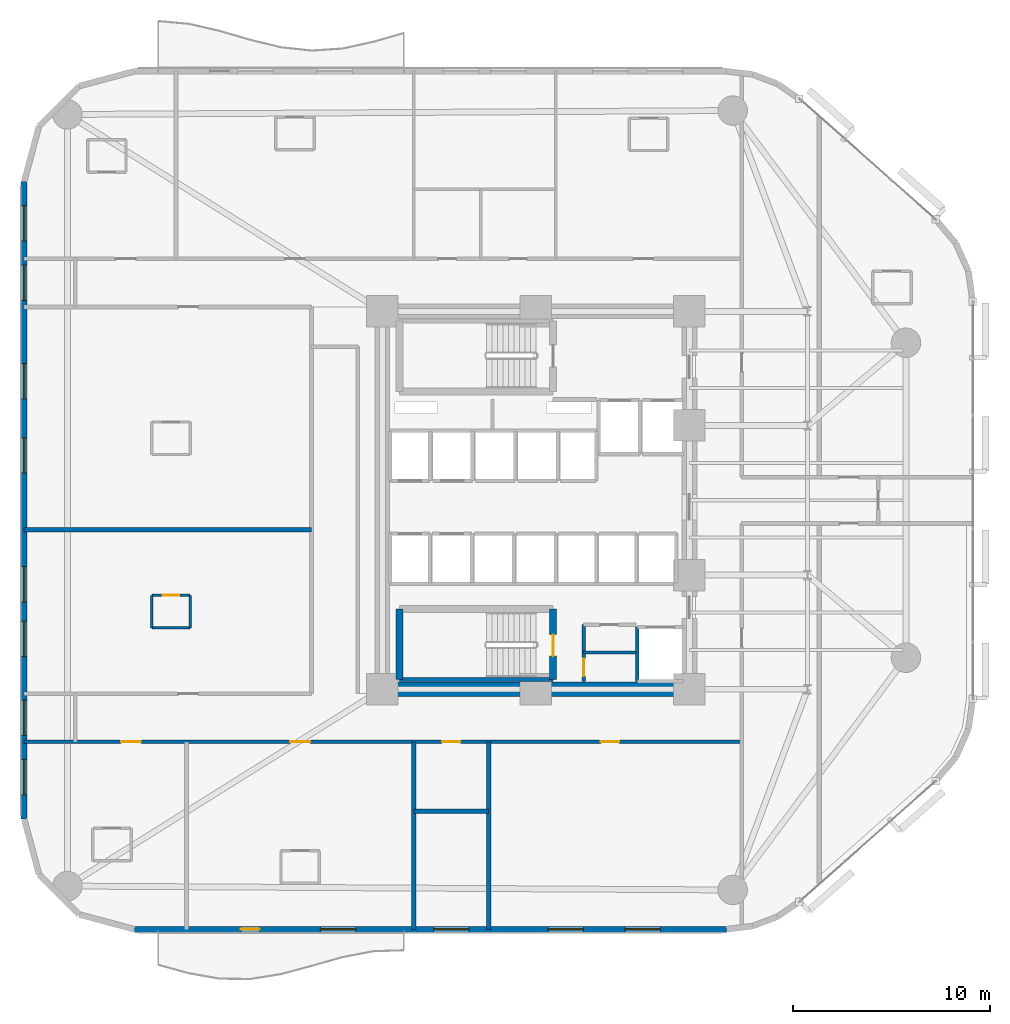
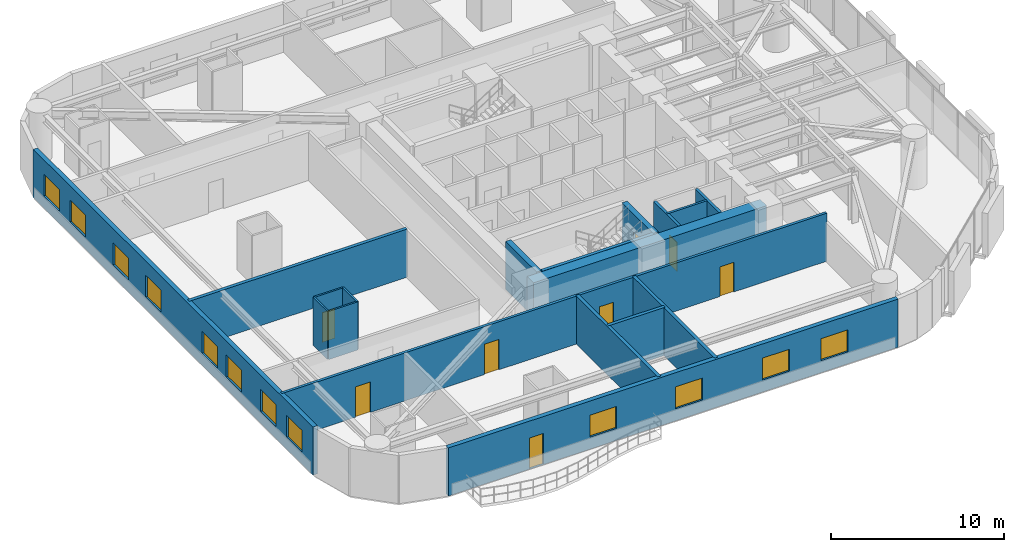
# One storey, part 10 of 17: 18 walls, 12 windows, 8 doors, 20 openings.
"""IFC4 building model written with IfcOpenShell, lengths in metres."""

import ifcopenshell
import ifcopenshell.guid

model = None  # the IFC model being written
_history = None  # IfcOwnerHistory: only IFC2X3 demands one
_inside = {}  # id of a spatial element -> (the spatial element, [elements in it])
_under = {}  # id of a project, library or spatial element -> (it, [spatial elements below it])
_declared = {}  # id of a project -> (the project, [libraries it declares])
_typed = {}  # id of a type object -> (the type object, [elements of that type])
_made_of = {}  # id of a material, layer set ... -> (it, [elements and type objects made of it])


def new_model(schema):
    """Start an empty IFC model of exactly this schema.

    Asked for "IFC4X3", IfcOpenShell would pick the latest addendum, in which some entities
    have other attributes; the version numbers below select the first issue.
    IFC2X3 requires an IfcOwnerHistory on every rooted entity: one is made here for all.
    """
    global model, _history
    if schema == "IFC4X3":
        model = ifcopenshell.file(schema_version=(4, 3, 0, 0))
    else:
        model = ifcopenshell.file(schema=schema)
    _inside.clear()
    _under.clear()
    _declared.clear()
    _typed.clear()
    _made_of.clear()
    _history = None
    if model.schema == "IFC2X3":
        org = make("IfcOrganization", Name="unknown")
        user = make(
            "IfcPersonAndOrganization",
            ThePerson=make("IfcPerson", FamilyName="unknown"),
            TheOrganization=org,
        )
        app = make(
            "IfcApplication",
            ApplicationDeveloper=org,
            Version="unknown",
            ApplicationFullName="unknown",
            ApplicationIdentifier="unknown",
        )
        _history = make(
            "IfcOwnerHistory",
            OwningUser=user,
            OwningApplication=app,
            ChangeAction="ADDED",
            CreationDate=0,
        )
    return model


def make(cls, **values):
    """One entity of the class cls with the attributes given. An attribute that is None is left unset."""
    return model.create_entity(
        cls, **{name: value for name, value in values.items() if value is not None}
    )


def rooted(cls, **values):
    """An entity with a GlobalId (a new one), such as an element, a storey or a relation."""
    return make(cls, GlobalId=ifcopenshell.guid.new(), OwnerHistory=_history, **values)


def si_unit(unit_type, name, prefix=None):
    """IfcSIUnit, for example si_unit("LENGTHUNIT", "METRE", prefix="MILLI")."""
    return make("IfcSIUnit", UnitType=unit_type, Prefix=prefix, Name=name)


def assignment(units):
    """IfcUnitAssignment: the units of a project."""
    return None if units is None else make("IfcUnitAssignment", Units=units)


def point(xyz):
    """IfcCartesianPoint."""
    return None if xyz is None else make("IfcCartesianPoint", Coordinates=xyz)


def direction(xyz):
    """IfcDirection."""
    return None if xyz is None else make("IfcDirection", DirectionRatios=xyz)


def frame(location, z_axis=None, x_axis=None):
    """IfcAxis2Placement3D, a coordinate frame: its origin and axes. An axis left out is left unset."""
    return make(
        "IfcAxis2Placement3D",
        Location=point(location),
        Axis=direction(z_axis),
        RefDirection=direction(x_axis),
    )


def frame_2d(location, x_axis=None):
    """IfcAxis2Placement2D, a coordinate frame in the plane: its origin and x axis."""
    return make(
        "IfcAxis2Placement2D", Location=point(location), RefDirection=direction(x_axis)
    )


def origin():
    """The frame at (0, 0, 0) with its axes left unset."""
    return frame((0.0, 0.0, 0.0))


def place(relative_to, where):
    """IfcLocalPlacement: puts the frame where relative to a parent placement (None: the world)."""
    return make(
        "IfcLocalPlacement", PlacementRelTo=relative_to, RelativePlacement=where
    )


def context(
    kind, dimensions, precision=None, world=None, true_north=None, identifier=None
):
    """IfcGeometricRepresentationContext, for example the 3D "Model" context."""
    return make(
        "IfcGeometricRepresentationContext",
        ContextIdentifier=identifier,
        ContextType=kind,
        CoordinateSpaceDimension=dimensions,
        Precision=precision,
        WorldCoordinateSystem=world,
        TrueNorth=true_north,
    )


def subcontext(parent, identifier, kind, view, scale=None):
    """IfcGeometricRepresentationSubContext, for example "Body" below "Model"."""
    return make(
        "IfcGeometricRepresentationSubContext",
        ContextIdentifier=identifier,
        ContextType=kind,
        ParentContext=parent,
        TargetScale=scale,
        TargetView=view,
    )


def project(units=None, contexts=None):
    """IfcProject with its units and contexts."""
    return rooted(
        "IfcProject",
        Name="project",
        RepresentationContexts=contexts,
        UnitsInContext=assignment(units),
    )


def spatial(cls, under=None, at=None, **own):
    """A site, building, storey or space (cls), placed at a placement, below another one or the project."""
    s = rooted(cls, ObjectPlacement=at, **own)
    if under is not None:
        _under.setdefault(under.id(), (under, []))[1].append(s)
    return s


def profile(cls, at=None, kind="AREA", **sizes):
    """A parametric profile (cls). Its sizes go by their IFC names, for example OverallWidth=200.0."""
    return make(cls, ProfileType=kind, Position=at, **sizes)


def rectangle(**sizes):
    """IfcRectangleProfileDef."""
    return profile("IfcRectangleProfileDef", **sizes)


def extrude(swept, where, along, depth):
    """IfcExtrudedAreaSolid: the profile swept, set in the frame where, extruded along a direction by depth."""
    return make(
        "IfcExtrudedAreaSolid",
        SweptArea=swept,
        Position=where,
        ExtrudedDirection=direction(along),
        Depth=depth,
    )


def shape(context_of_items, identifier, shape_type, items):
    """IfcShapeRepresentation: the items that make up one representation, for example the "Body"."""
    return make(
        "IfcShapeRepresentation",
        ContextOfItems=context_of_items,
        RepresentationIdentifier=identifier,
        RepresentationType=shape_type,
        Items=items,
    )


def material(Name=None, Category=None):
    """IfcMaterial."""
    return make("IfcMaterial", Name=Name, Category=Category)


def layer(
    of_material, thickness, ventilated=None, Name=None, Category=None, Priority=None
):
    """IfcMaterialLayer: one layer of a wall or slab, of a material (None: an air gap)."""
    return make(
        "IfcMaterialLayer",
        Material=of_material,
        LayerThickness=thickness,
        IsVentilated=ventilated,
        Name=Name,
        Category=Category,
        Priority=Priority,
    )


def layer_set(layers, Name=None):
    """IfcMaterialLayerSet."""
    return make("IfcMaterialLayerSet", MaterialLayers=layers, LayerSetName=Name)


def made_of(thing, what):
    """Note that an element or type object is made of a material, layer set ...; save() writes the relation."""
    if what is not None:
        _made_of.setdefault(what.id(), (what, []))[1].append(thing)
    return thing


def type_object(cls, material=None, **own):
    """A type object (cls), such as IfcWallType, which elements share."""
    return made_of(rooted(cls, **own), material)


def element(
    cls,
    number,
    at=None,
    inside=None,
    cuts=None,
    type_object=None,
    material=None,
    context=None,
    identifier="Body",
    shape_type=None,
    held_by="IfcProductDefinitionShape",
    body=None,
    shapes=None,
    **own,
):
    """One element of the class cls, such as IfcWall. Its Tag is "e" and its number.

    at: its placement. inside: the storey or other place that contains it. cuts: it is an
    opening in that element (IfcRelVoidsElement). A single representation is given by context,
    identifier, shape_type and body (its items); several are given by shapes. held_by: the class
    of the entity that holds the representations. save() writes the other relations.
    """
    e = rooted(cls, Tag="e%d" % number, ObjectPlacement=at, **own)
    if body is not None:
        shapes = [shape(context, identifier, shape_type, body)]
    if shapes is not None:
        e.Representation = make(held_by, Representations=shapes)
    if inside is not None:
        _inside.setdefault(inside.id(), (inside, []))[1].append(e)
    if cuts is not None:
        rooted(
            "IfcRelVoidsElement", RelatingBuildingElement=cuts, RelatedOpeningElement=e
        )
    if type_object is not None:
        _typed.setdefault(type_object.id(), (type_object, []))[1].append(e)
    return made_of(e, material)


def fill(opening, filler):
    """IfcRelFillsElement: the door or window that sits in an opening."""
    return rooted(
        "IfcRelFillsElement",
        RelatingOpeningElement=opening,
        RelatedBuildingElement=filler,
    )


def aggregate(whole, parts):
    """IfcRelAggregates: a whole, such as a stair, and the parts it consists of."""
    return rooted("IfcRelAggregates", RelatingObject=whole, RelatedObjects=parts)


def save(model, path):
    """Write the relations noted so far, then the file.

    IfcRelAggregates (storeys below a building ...), IfcRelContainedInSpatialStructure (elements
    in a storey), IfcRelDefinesByType, IfcRelAssociatesMaterial and IfcRelDeclares: one each for
    every whole, place, type object, material and project.
    """
    for whole, parts in _under.values():
        aggregate(whole, parts)
    for where, things in _inside.values():
        rooted(
            "IfcRelContainedInSpatialStructure",
            RelatedElements=things,
            RelatingStructure=where,
        )
    for kind, things in _typed.values():
        rooted("IfcRelDefinesByType", RelatedObjects=things, RelatingType=kind)
    for what, things in _made_of.values():
        rooted("IfcRelAssociatesMaterial", RelatedObjects=things, RelatingMaterial=what)
    for by, libraries in _declared.values():
        rooted("IfcRelDeclares", RelatingContext=by, RelatedDefinitions=libraries)
    model.write(path)


model = new_model("IFC4")

# Units and contexts
model_context = context("Model", 3, precision=1e-05, world=origin(), true_north=direction((0.0, 1.0)))
body_context = subcontext(model_context, "Body", "Model", "MODEL_VIEW")
ifc_project = project(units=[si_unit("LENGTHUNIT", "METRE"), si_unit("AREAUNIT", "SQUARE_METRE"), si_unit("VOLUMEUNIT", "CUBIC_METRE"), si_unit("PLANEANGLEUNIT", "RADIAN"), si_unit("MASSUNIT", "GRAM", prefix="KILO")], contexts=[model_context])

# Site, building, storey
site_placement = place(None, origin())
site = spatial("IfcSite", under=ifc_project, at=site_placement, CompositionType="ELEMENT")
building_placement = place(site_placement, origin())
building = spatial("IfcBuilding", under=site, at=building_placement, Name="An Khanh Terracotta Commons", CompositionType="ELEMENT")
storey_placement = place(building_placement, frame((0.0, 0.0, 32.39990234375)))
storey = spatial("IfcBuildingStorey", under=building, at=storey_placement, Name="L08", CompositionType="ELEMENT", Elevation=32.39990234375)

# Wall
ifc_material_1 = material(Name="Concrete C70/85", Category="concrete")
ifc_layer_1 = layer(ifc_material_1, 0.75, Name="Concrete C70/85")
ifc_layer_set_1 = layer_set([ifc_layer_1], Name="Concrete C70/85")
wall_type_1 = type_object("IfcWallType", Name="WALL-CORE-750", PredefinedType="SHEAR", material=ifc_layer_set_1)
wall_1_placement = place(storey_placement, frame((37.199951171875, 14.39990234375, 0.0), z_axis=(0.0, 0.0, 1.0), x_axis=(-1.0, 0.0, 0.0)))
element("IfcWall", 1, at=wall_1_placement, inside=storey, type_object=wall_type_1, Name="L08 Core Wall CWALL-L08-S", PredefinedType="SHEAR", context=body_context, shape_type="SweptSolid", body=[
    extrude(rectangle(XDim=15.599853515625, YDim=0.75, at=frame_2d((7.7998046875, 0.0))), origin(), (0.0, 0.0, 1.0), 3.400146484375),
])

# Wall, opening, door
ifc_material_2 = material(Name="Fire-Rated Gypsum Board on Steel Stud", Category="steel")
ifc_layer_2 = layer(ifc_material_2, 0.179931640625, Name="Fire-Rated Gypsum Board on Steel Stud")
ifc_layer_set_2 = layer_set([ifc_layer_2], Name="Fire-Rated Gypsum Board on Steel Stud")
wall_type_2 = type_object("IfcWallType", Name="WALL-CORR-180", PredefinedType="PARTITIONING", material=ifc_layer_set_2)
wall_2_placement = place(storey_placement, frame((31.820068359375, 14.800048828125, 0.0), z_axis=(0.0, 0.0, 1.0), x_axis=(0.0, 1.0, 0.0)))
wall_2 = element("IfcWall", 2, at=wall_2_placement, inside=storey, type_object=wall_type_2, Name="L08 Core Wall SSVCW-L08-W", PredefinedType="PARTITIONING", context=body_context, shape_type="SweptSolid", body=[
    extrude(rectangle(XDim=2.8798828125, YDim=0.179931640625, at=frame_2d((1.43994140625, 0.0))), origin(), (0.0, 0.0, 1.0), 3.400146484375),
])
opening_1_placement = place(wall_2_placement, frame((0.260009765625, 0.0, 0.0)))
opening_1 = element("IfcOpeningElement", 3, at=opening_1_placement, cuts=wall_2, Name="Opening D-SV", PredefinedType="OPENING", context=body_context, shape_type="SweptSolid", body=[
    extrude(rectangle(XDim=0.89990234375, YDim=2.050048828125, at=frame_2d((0.449951171875, 1.02490234375))), frame((0.0, 0.099853515625, 0.0), z_axis=(0.0, -1.0, 0.0), x_axis=(1.0, 0.0, 0.0)), (0.0, 0.0, 1.0), 0.199951171875),
])
ifc_material_3 = material(Name="Fire-Rated Powder-Coated Steel Door", Category="steel")
door_type_1 = type_object("IfcDoorType", Name="DOOR-SERV-900", OperationType="NOTDEFINED", PredefinedType="DOOR", material=ifc_material_3)
door_1_placement = place(opening_1_placement, origin())
door_1 = element("IfcDoor", 4, at=door_1_placement, inside=storey, type_object=door_type_1, Name="L08 Telecoms BMS Cupboard Door", OperationType="SINGLE_SWING_RIGHT", OverallHeight=2.050048828125, OverallWidth=0.89990234375, PredefinedType="DOOR", context=body_context, shape_type="SweptSolid", body=[
    extrude(rectangle(XDim=0.89990234375, YDim=2.050048828125, at=frame_2d((0.449951171875, 1.02490234375))), frame((0.0, 0.02490234375, 0.0), z_axis=(0.0, -1.0, 0.0), x_axis=(1.0, 0.0, 0.0)), (0.0, 0.0, 1.0), 0.050048828125),
])
fill(opening_1, door_1)

# Wall
wall_3_placement = place(storey_placement, frame((34.550048828125, 17.550048828125, 0.0), z_axis=(0.0, 0.0, 1.0), x_axis=(0.0, -1.0, 0.0)))
element("IfcWall", 5, at=wall_3_placement, inside=storey, type_object=wall_type_2, Name="L08 Core Wall LSH-L08-SVL-01-W", PredefinedType="PARTITIONING", context=body_context, shape_type="SweptSolid", body=[
    extrude(rectangle(XDim=2.75, YDim=0.179931640625, at=frame_2d((1.375, 0.0))), origin(), (0.0, 0.0, 1.0), 3.400146484375),
])

# Wall, openings, doors
wall_4_placement = place(storey_placement, frame((3.39990234375, 11.719970703125, 0.0), z_axis=(0.0, 0.0, 1.0), x_axis=(1.0, 0.0, 0.0)))
wall_4 = element("IfcWall", 6, at=wall_4_placement, inside=storey, type_object=wall_type_2, Name="L08 Interior Partition IW-L08-E002", PredefinedType="PARTITIONING", context=body_context, shape_type="SweptSolid", body=[
    extrude(rectangle(XDim=36.4501953125, YDim=0.179931640625, at=frame_2d((18.22509765625, 0.0))), origin(), (0.0, 0.0, 1.0), 3.400146484375),
])
opening_2_placement = place(wall_4_placement, frame((21.239990234375, 0.0, 0.0)))
opening_2 = element("IfcOpeningElement", 7, at=opening_2_placement, cuts=wall_4, Name="Opening D-RM", PredefinedType="OPENING", context=body_context, shape_type="SweptSolid", body=[
    extrude(rectangle(XDim=0.919921875, YDim=2.10009765625, at=frame_2d((0.4599609375, 1.050048828125))), frame((0.0, 0.099853515625, 0.0), z_axis=(0.0, -1.0, 0.0), x_axis=(1.0, 0.0, 0.0)), (0.0, 0.0, 1.0), 0.199951171875),
])
opening_3_placement = place(wall_4_placement, frame((4.925048828125, 0.0, 0.0)))
opening_3 = element("IfcOpeningElement", 8, at=opening_3_placement, cuts=wall_4, Name="Opening D-UN", PredefinedType="OPENING", context=body_context, shape_type="SweptSolid", body=[
    extrude(rectangle(XDim=1.0, YDim=2.14990234375, at=frame_2d((0.5, 1.074951171875))), frame((0.0, 0.099853515625, 0.0), z_axis=(0.0, -1.0, 0.0), x_axis=(1.0, 0.0, 0.0)), (0.0, 0.0, 1.0), 0.199951171875),
])
opening_4_placement = place(wall_4_placement, frame((13.52490234375, 0.0, 0.0)))
opening_4 = element("IfcOpeningElement", 9, at=opening_4_placement, cuts=wall_4, Name="Opening D-UN", PredefinedType="OPENING", context=body_context, shape_type="SweptSolid", body=[
    extrude(rectangle(XDim=1.0, YDim=2.14990234375, at=frame_2d((0.5, 1.074951171875))), frame((0.0, 0.099853515625, 0.0), z_axis=(0.0, -1.0, 0.0), x_axis=(1.0, 0.0, 0.0)), (0.0, 0.0, 1.0), 0.199951171875),
])
opening_5_placement = place(wall_4_placement, frame((29.304931640625, 0.0, 0.0)))
opening_5 = element("IfcOpeningElement", 10, at=opening_5_placement, cuts=wall_4, Name="Opening D-RM", PredefinedType="OPENING", context=body_context, shape_type="SweptSolid", body=[
    extrude(rectangle(XDim=0.919921875, YDim=2.10009765625, at=frame_2d((0.4599609375, 1.050048828125))), frame((0.0, 0.099853515625, 0.0), z_axis=(0.0, -1.0, 0.0), x_axis=(1.0, 0.0, 0.0)), (0.0, 0.0, 1.0), 0.199951171875),
])
ifc_material_4 = material(Name="Engineered Hardwood Timber Leaf", Category="wood")
door_type_2 = type_object("IfcDoorType", Name="DOOR-INT-920", OperationType="NOTDEFINED", PredefinedType="DOOR", material=ifc_material_4)
door_2_placement = place(opening_2_placement, origin())
door_2 = element("IfcDoor", 11, at=door_2_placement, inside=storey, type_object=door_type_2, Name="L08 HKP Housekeeping Linen Store Door", OperationType="SINGLE_SWING_LEFT", OverallHeight=2.10009765625, OverallWidth=0.919921875, PredefinedType="DOOR", context=body_context, shape_type="SweptSolid", body=[
    extrude(rectangle(XDim=0.919921875, YDim=2.10009765625, at=frame_2d((0.4599609375, 1.050048828125))), frame((0.0, 0.02490234375, 0.0), z_axis=(0.0, -1.0, 0.0), x_axis=(1.0, 0.0, 0.0)), (0.0, 0.0, 1.0), 0.050048828125),
])
fill(opening_2, door_2)
door_3_placement = place(opening_5_placement, origin())
door_3 = element("IfcDoor", 12, at=door_3_placement, inside=storey, type_object=door_type_2, Name="L08 SWE Communal Kitchen and Dining Door", OperationType="SINGLE_SWING_RIGHT", OverallHeight=2.10009765625, OverallWidth=0.919921875, PredefinedType="DOOR", context=body_context, shape_type="SweptSolid", body=[
    extrude(rectangle(XDim=0.919921875, YDim=2.10009765625, at=frame_2d((0.4599609375, 1.050048828125))), frame((0.0, 0.02490234375, 0.0), z_axis=(0.0, -1.0, 0.0), x_axis=(1.0, 0.0, 0.0)), (0.0, 0.0, 1.0), 0.050048828125),
])
fill(opening_5, door_3)
ifc_material_5 = material(Name="Solid-Core Hardwood Acoustic Fire Door", Category="wood")
door_type_3 = type_object("IfcDoorType", Name="DOOR-UNIT-1000", OperationType="NOTDEFINED", PredefinedType="DOOR", material=ifc_material_5)
door_4_placement = place(opening_3_placement, origin())
door_4 = element("IfcDoor", 13, at=door_4_placement, inside=storey, type_object=door_type_3, Name="L08 SW1 Kitchenette and Studio Apartment Door", OperationType="SINGLE_SWING_RIGHT", OverallHeight=2.14990234375, OverallWidth=1.0, PredefinedType="DOOR", context=body_context, shape_type="SweptSolid", body=[
    extrude(rectangle(XDim=1.0, YDim=2.14990234375, at=frame_2d((0.5, 1.074951171875))), frame((0.0, 0.02490234375, 0.0), z_axis=(0.0, -1.0, 0.0), x_axis=(1.0, 0.0, 0.0)), (0.0, 0.0, 1.0), 0.050048828125),
])
fill(opening_3, door_4)
door_5_placement = place(opening_4_placement, origin())
door_5 = element("IfcDoor", 14, at=door_5_placement, inside=storey, type_object=door_type_3, Name="L08 SW2 Kitchenette and Studio Apartment Door", OperationType="SINGLE_SWING_LEFT", OverallHeight=2.14990234375, OverallWidth=1.0, PredefinedType="DOOR", context=body_context, shape_type="SweptSolid", body=[
    extrude(rectangle(XDim=1.0, YDim=2.14990234375, at=frame_2d((0.5, 1.074951171875))), frame((0.0, 0.02490234375, 0.0), z_axis=(0.0, -1.0, 0.0), x_axis=(1.0, 0.0, 0.0)), (0.0, 0.0, 1.0), 0.050048828125),
])
fill(opening_4, door_5)

# Wall, openings, door, windows
ifc_material_6 = material(Name="Precast concrete C40/50", Category="concrete")
ifc_layer_3 = layer(ifc_material_6, 0.300048828125, Name="Precast concrete C40/50")
ifc_layer_set_3 = layer_set([ifc_layer_3], Name="Precast concrete C40/50")
wall_type_3 = type_object("IfcWallType", Name="WALL-EXT-300", PredefinedType="SOLIDWALL", material=ifc_layer_set_3)
wall_5_placement = place(storey_placement, frame((9.0, 2.199951171875, 0.0), z_axis=(0.0, 0.0, 1.0), x_axis=(1.0, 0.0, 0.0)))
wall_5 = element("IfcWall", 15, at=wall_5_placement, inside=storey, type_object=wall_type_3, Name="L08 Insulated Terracotta Exterior Wall 4", PredefinedType="SOLIDWALL", context=body_context, shape_type="SweptSolid", body=[
    extrude(rectangle(XDim=30.0791015625, YDim=0.300048828125, at=frame_2d((15.03955078125, 0.0))), origin(), (0.0, 0.0, 1.0), 3.400146484375),
])
opening_6_placement = place(wall_5_placement, frame((5.412109375, 0.0, 0.0)))
opening_6 = element("IfcOpeningElement", 16, at=opening_6_placement, cuts=wall_5, Name="Opening D-BAL", PredefinedType="OPENING", context=body_context, shape_type="SweptSolid", body=[
    extrude(rectangle(XDim=0.949951171875, YDim=2.199951171875, at=frame_2d((0.47509765625, 1.10009765625))), frame((0.0, 0.159912109375, 0.0), z_axis=(0.0, -1.0, 0.0), x_axis=(1.0, 0.0, 0.0)), (0.0, 0.0, 1.0), 0.320068359375),
])
opening_7_placement = place(wall_5_placement, frame((9.449951171875, 0.0, 0.85009765625)))
opening_7 = element("IfcOpeningElement", 17, at=opening_7_placement, cuts=wall_5, Name="Opening W-01", PredefinedType="OPENING", context=body_context, shape_type="SweptSolid", body=[
    extrude(rectangle(XDim=1.800048828125, YDim=1.550048828125, at=frame_2d((0.89990234375, 0.77490234375))), frame((0.0, 0.159912109375, 0.0), z_axis=(0.0, -1.0, 0.0), x_axis=(1.0, 0.0, 0.0)), (0.0, 0.0, 1.0), 0.320068359375),
])
opening_8_placement = place(wall_5_placement, frame((15.199951171875, 0.0, 0.85009765625)))
opening_8 = element("IfcOpeningElement", 18, at=opening_8_placement, cuts=wall_5, Name="Opening W-01", PredefinedType="OPENING", context=body_context, shape_type="SweptSolid", body=[
    extrude(rectangle(XDim=1.800048828125, YDim=1.550048828125, at=frame_2d((0.89990234375, 0.77490234375))), frame((0.0, 0.159912109375, 0.0), z_axis=(0.0, -1.0, 0.0), x_axis=(1.0, 0.0, 0.0)), (0.0, 0.0, 1.0), 0.320068359375),
])
opening_9_placement = place(wall_5_placement, frame((21.010009765625, 0.0, 0.85009765625)))
opening_9 = element("IfcOpeningElement", 19, at=opening_9_placement, cuts=wall_5, Name="Opening W-01", PredefinedType="OPENING", context=body_context, shape_type="SweptSolid", body=[
    extrude(rectangle(XDim=1.800048828125, YDim=1.550048828125, at=frame_2d((0.89990234375, 0.77490234375))), frame((0.0, 0.159912109375, 0.0), z_axis=(0.0, -1.0, 0.0), x_axis=(1.0, 0.0, 0.0)), (0.0, 0.0, 1.0), 0.320068359375),
])
opening_10_placement = place(wall_5_placement, frame((24.9189453125, 0.0, 0.85009765625)))
opening_10 = element("IfcOpeningElement", 20, at=opening_10_placement, cuts=wall_5, Name="Opening W-01", PredefinedType="OPENING", context=body_context, shape_type="SweptSolid", body=[
    extrude(rectangle(XDim=1.800048828125, YDim=1.550048828125, at=frame_2d((0.89990234375, 0.77490234375))), frame((0.0, 0.159912109375, 0.0), z_axis=(0.0, -1.0, 0.0), x_axis=(1.0, 0.0, 0.0)), (0.0, 0.0, 1.0), 0.320068359375),
])
ifc_material_7 = material(Name="Thermally Broken Aluminium and Low-E Glass", Category="aluminium")
door_type_4 = type_object("IfcDoorType", Name="DOOR-BALC-950", OperationType="NOTDEFINED", PredefinedType="DOOR", material=ifc_material_7)
door_6_placement = place(opening_6_placement, origin())
door_6 = element("IfcDoor", 21, at=door_6_placement, inside=storey, type_object=door_type_4, Name="L08 S Wave Balcony Glazed Door", OperationType="SINGLE_SWING_LEFT", OverallHeight=2.199951171875, OverallWidth=0.949951171875, PredefinedType="DOOR", context=body_context, shape_type="SweptSolid", body=[
    extrude(rectangle(XDim=0.949951171875, YDim=2.199951171875, at=frame_2d((0.47509765625, 1.10009765625))), frame((0.0, 0.02490234375, 0.0), z_axis=(0.0, -1.0, 0.0), x_axis=(1.0, 0.0, 0.0)), (0.0, 0.0, 1.0), 0.050048828125),
])
fill(opening_6, door_6)
window_type = type_object("IfcWindowType", Name="WIN-Z1-1800x1550", PartitioningType="DOUBLE_PANEL_VERTICAL", PredefinedType="WINDOW", material=ifc_material_7)
window_1_placement = place(opening_7_placement, origin())
window_1 = element("IfcWindow", 22, at=window_1_placement, inside=storey, type_object=window_type, Name="L08 Operable Casement Window 4.1", OverallHeight=1.550048828125, OverallWidth=1.800048828125, PartitioningType="DOUBLE_PANEL_VERTICAL", PredefinedType="WINDOW", context=body_context, shape_type="SweptSolid", body=[
    extrude(rectangle(XDim=1.800048828125, YDim=1.550048828125, at=frame_2d((0.89990234375, 0.77490234375))), frame((0.0, 0.030029296875, 0.0), z_axis=(0.0, -1.0, 0.0), x_axis=(1.0, 0.0, 0.0)), (0.0, 0.0, 1.0), 0.06005859375),
])
fill(opening_7, window_1)
window_2_placement = place(opening_8_placement, origin())
window_2 = element("IfcWindow", 23, at=window_2_placement, inside=storey, type_object=window_type, Name="L08 Operable Casement Window 4.2", OverallHeight=1.550048828125, OverallWidth=1.800048828125, PartitioningType="DOUBLE_PANEL_VERTICAL", PredefinedType="WINDOW", context=body_context, shape_type="SweptSolid", body=[
    extrude(rectangle(XDim=1.800048828125, YDim=1.550048828125, at=frame_2d((0.89990234375, 0.77490234375))), frame((0.0, 0.030029296875, 0.0), z_axis=(0.0, -1.0, 0.0), x_axis=(1.0, 0.0, 0.0)), (0.0, 0.0, 1.0), 0.06005859375),
])
fill(opening_8, window_2)
window_3_placement = place(opening_9_placement, origin())
window_3 = element("IfcWindow", 24, at=window_3_placement, inside=storey, type_object=window_type, Name="L08 Operable Casement Window 4.3", OverallHeight=1.550048828125, OverallWidth=1.800048828125, PartitioningType="DOUBLE_PANEL_VERTICAL", PredefinedType="WINDOW", context=body_context, shape_type="SweptSolid", body=[
    extrude(rectangle(XDim=1.800048828125, YDim=1.550048828125, at=frame_2d((0.89990234375, 0.77490234375))), frame((0.0, 0.030029296875, 0.0), z_axis=(0.0, -1.0, 0.0), x_axis=(1.0, 0.0, 0.0)), (0.0, 0.0, 1.0), 0.06005859375),
])
fill(opening_9, window_3)
window_4_placement = place(opening_10_placement, origin())
window_4 = element("IfcWindow", 25, at=window_4_placement, inside=storey, type_object=window_type, Name="L08 Operable Casement Window 4.4", OverallHeight=1.550048828125, OverallWidth=1.800048828125, PartitioningType="DOUBLE_PANEL_VERTICAL", PredefinedType="WINDOW", context=body_context, shape_type="SweptSolid", body=[
    extrude(rectangle(XDim=1.800048828125, YDim=1.550048828125, at=frame_2d((0.89990234375, 0.77490234375))), frame((0.0, 0.030029296875, 0.0), z_axis=(0.0, -1.0, 0.0), x_axis=(1.0, 0.0, 0.0)), (0.0, 0.0, 1.0), 0.06005859375),
])
fill(opening_10, window_4)

# Wall, openings, windows
wall_6_placement = place(storey_placement, frame((3.39990234375, 40.199951171875, 0.0), z_axis=(0.0, 0.0, 1.0), x_axis=(0.0, -1.0, 0.0)))
wall_6 = element("IfcWall", 26, at=wall_6_placement, inside=storey, type_object=wall_type_3, Name="L08 Insulated Terracotta Exterior Wall 24", PredefinedType="SOLIDWALL", context=body_context, shape_type="SweptSolid", body=[
    extrude(rectangle(XDim=32.39990234375, YDim=0.300048828125, at=frame_2d((16.199951171875, 0.0))), origin(), (0.0, 0.0, 1.0), 3.400146484375),
])
opening_11_placement = place(wall_6_placement, frame((1.235107421875, 0.0, 0.85009765625)))
opening_11 = element("IfcOpeningElement", 27, at=opening_11_placement, cuts=wall_6, Name="Opening W-01", PredefinedType="OPENING", context=body_context, shape_type="SweptSolid", body=[
    extrude(rectangle(XDim=1.800048828125, YDim=1.550048828125, at=frame_2d((0.89990234375, 0.77490234375))), frame((0.0, 0.159912109375, 0.0), z_axis=(0.0, -1.0, 0.0), x_axis=(1.0, 0.0, 0.0)), (0.0, 0.0, 1.0), 0.320068359375),
])
opening_12_placement = place(wall_6_placement, frame((4.25, 0.0, 0.85009765625)))
opening_12 = element("IfcOpeningElement", 28, at=opening_12_placement, cuts=wall_6, Name="Opening W-01", PredefinedType="OPENING", context=body_context, shape_type="SweptSolid", body=[
    extrude(rectangle(XDim=1.800048828125, YDim=1.550048828125, at=frame_2d((0.89990234375, 0.77490234375))), frame((0.0, 0.159912109375, 0.0), z_axis=(0.0, -1.0, 0.0), x_axis=(1.0, 0.0, 0.0)), (0.0, 0.0, 1.0), 0.320068359375),
])
opening_13_placement = place(wall_6_placement, frame((9.2529296875, 0.0, 0.85009765625)))
opening_13 = element("IfcOpeningElement", 29, at=opening_13_placement, cuts=wall_6, Name="Opening W-01", PredefinedType="OPENING", context=body_context, shape_type="SweptSolid", body=[
    extrude(rectangle(XDim=1.800048828125, YDim=1.550048828125, at=frame_2d((0.89990234375, 0.77490234375))), frame((0.0, 0.159912109375, 0.0), z_axis=(0.0, -1.0, 0.0), x_axis=(1.0, 0.0, 0.0)), (0.0, 0.0, 1.0), 0.320068359375),
])
opening_14_placement = place(wall_6_placement, frame((13.027099609375, 0.0, 0.85009765625)))
opening_14 = element("IfcOpeningElement", 30, at=opening_14_placement, cuts=wall_6, Name="Opening W-01", PredefinedType="OPENING", context=body_context, shape_type="SweptSolid", body=[
    extrude(rectangle(XDim=1.800048828125, YDim=1.550048828125, at=frame_2d((0.89990234375, 0.77490234375))), frame((0.0, 0.159912109375, 0.0), z_axis=(0.0, -1.0, 0.0), x_axis=(1.0, 0.0, 0.0)), (0.0, 0.0, 1.0), 0.320068359375),
])
opening_15_placement = place(wall_6_placement, frame((19.572998046875, 0.0, 0.85009765625)))
opening_15 = element("IfcOpeningElement", 31, at=opening_15_placement, cuts=wall_6, Name="Opening W-01", PredefinedType="OPENING", context=body_context, shape_type="SweptSolid", body=[
    extrude(rectangle(XDim=1.800048828125, YDim=1.550048828125, at=frame_2d((0.89990234375, 0.77490234375))), frame((0.0, 0.159912109375, 0.0), z_axis=(0.0, -1.0, 0.0), x_axis=(1.0, 0.0, 0.0)), (0.0, 0.0, 1.0), 0.320068359375),
])
opening_16_placement = place(wall_6_placement, frame((22.346923828125, 0.0, 0.85009765625)))
opening_16 = element("IfcOpeningElement", 32, at=opening_16_placement, cuts=wall_6, Name="Opening W-01", PredefinedType="OPENING", context=body_context, shape_type="SweptSolid", body=[
    extrude(rectangle(XDim=1.800048828125, YDim=1.550048828125, at=frame_2d((0.89990234375, 0.77490234375))), frame((0.0, 0.159912109375, 0.0), z_axis=(0.0, -1.0, 0.0), x_axis=(1.0, 0.0, 0.0)), (0.0, 0.0, 1.0), 0.320068359375),
])
opening_17_placement = place(wall_6_placement, frame((26.35009765625, 0.0, 0.85009765625)))
opening_17 = element("IfcOpeningElement", 33, at=opening_17_placement, cuts=wall_6, Name="Opening W-01", PredefinedType="OPENING", context=body_context, shape_type="SweptSolid", body=[
    extrude(rectangle(XDim=1.800048828125, YDim=1.550048828125, at=frame_2d((0.89990234375, 0.77490234375))), frame((0.0, 0.159912109375, 0.0), z_axis=(0.0, -1.0, 0.0), x_axis=(1.0, 0.0, 0.0)), (0.0, 0.0, 1.0), 0.320068359375),
])
opening_18_placement = place(wall_6_placement, frame((29.364990234375, 0.0, 0.85009765625)))
opening_18 = element("IfcOpeningElement", 34, at=opening_18_placement, cuts=wall_6, Name="Opening W-01", PredefinedType="OPENING", context=body_context, shape_type="SweptSolid", body=[
    extrude(rectangle(XDim=1.800048828125, YDim=1.550048828125, at=frame_2d((0.89990234375, 0.77490234375))), frame((0.0, 0.159912109375, 0.0), z_axis=(0.0, -1.0, 0.0), x_axis=(1.0, 0.0, 0.0)), (0.0, 0.0, 1.0), 0.320068359375),
])
window_5_placement = place(opening_11_placement, origin())
window_5 = element("IfcWindow", 35, at=window_5_placement, inside=storey, type_object=window_type, Name="L08 Operable Casement Window 24.1", OverallHeight=1.550048828125, OverallWidth=1.800048828125, PartitioningType="DOUBLE_PANEL_VERTICAL", PredefinedType="WINDOW", context=body_context, shape_type="SweptSolid", body=[
    extrude(rectangle(XDim=1.800048828125, YDim=1.550048828125, at=frame_2d((0.89990234375, 0.77490234375))), frame((0.0, 0.030029296875, 0.0), z_axis=(0.0, -1.0, 0.0), x_axis=(1.0, 0.0, 0.0)), (0.0, 0.0, 1.0), 0.06005859375),
])
fill(opening_11, window_5)
window_6_placement = place(opening_12_placement, origin())
window_6 = element("IfcWindow", 36, at=window_6_placement, inside=storey, type_object=window_type, Name="L08 Operable Casement Window 24.2", OverallHeight=1.550048828125, OverallWidth=1.800048828125, PartitioningType="DOUBLE_PANEL_VERTICAL", PredefinedType="WINDOW", context=body_context, shape_type="SweptSolid", body=[
    extrude(rectangle(XDim=1.800048828125, YDim=1.550048828125, at=frame_2d((0.89990234375, 0.77490234375))), frame((0.0, 0.030029296875, 0.0), z_axis=(0.0, -1.0, 0.0), x_axis=(1.0, 0.0, 0.0)), (0.0, 0.0, 1.0), 0.06005859375),
])
fill(opening_12, window_6)
window_7_placement = place(opening_13_placement, origin())
window_7 = element("IfcWindow", 37, at=window_7_placement, inside=storey, type_object=window_type, Name="L08 Operable Casement Window 24.3", OverallHeight=1.550048828125, OverallWidth=1.800048828125, PartitioningType="DOUBLE_PANEL_VERTICAL", PredefinedType="WINDOW", context=body_context, shape_type="SweptSolid", body=[
    extrude(rectangle(XDim=1.800048828125, YDim=1.550048828125, at=frame_2d((0.89990234375, 0.77490234375))), frame((0.0, 0.030029296875, 0.0), z_axis=(0.0, -1.0, 0.0), x_axis=(1.0, 0.0, 0.0)), (0.0, 0.0, 1.0), 0.06005859375),
])
fill(opening_13, window_7)
window_8_placement = place(opening_14_placement, origin())
window_8 = element("IfcWindow", 38, at=window_8_placement, inside=storey, type_object=window_type, Name="L08 Operable Casement Window 24.4", OverallHeight=1.550048828125, OverallWidth=1.800048828125, PartitioningType="DOUBLE_PANEL_VERTICAL", PredefinedType="WINDOW", context=body_context, shape_type="SweptSolid", body=[
    extrude(rectangle(XDim=1.800048828125, YDim=1.550048828125, at=frame_2d((0.89990234375, 0.77490234375))), frame((0.0, 0.030029296875, 0.0), z_axis=(0.0, -1.0, 0.0), x_axis=(1.0, 0.0, 0.0)), (0.0, 0.0, 1.0), 0.06005859375),
])
fill(opening_14, window_8)
window_9_placement = place(opening_15_placement, origin())
window_9 = element("IfcWindow", 39, at=window_9_placement, inside=storey, type_object=window_type, Name="L08 Operable Casement Window 24.5", OverallHeight=1.550048828125, OverallWidth=1.800048828125, PartitioningType="DOUBLE_PANEL_VERTICAL", PredefinedType="WINDOW", context=body_context, shape_type="SweptSolid", body=[
    extrude(rectangle(XDim=1.800048828125, YDim=1.550048828125, at=frame_2d((0.89990234375, 0.77490234375))), frame((0.0, 0.030029296875, 0.0), z_axis=(0.0, -1.0, 0.0), x_axis=(1.0, 0.0, 0.0)), (0.0, 0.0, 1.0), 0.06005859375),
])
fill(opening_15, window_9)
window_10_placement = place(opening_16_placement, origin())
window_10 = element("IfcWindow", 40, at=window_10_placement, inside=storey, type_object=window_type, Name="L08 Operable Casement Window 24.6", OverallHeight=1.550048828125, OverallWidth=1.800048828125, PartitioningType="DOUBLE_PANEL_VERTICAL", PredefinedType="WINDOW", context=body_context, shape_type="SweptSolid", body=[
    extrude(rectangle(XDim=1.800048828125, YDim=1.550048828125, at=frame_2d((0.89990234375, 0.77490234375))), frame((0.0, 0.030029296875, 0.0), z_axis=(0.0, -1.0, 0.0), x_axis=(1.0, 0.0, 0.0)), (0.0, 0.0, 1.0), 0.06005859375),
])
fill(opening_16, window_10)
window_11_placement = place(opening_17_placement, origin())
window_11 = element("IfcWindow", 41, at=window_11_placement, inside=storey, type_object=window_type, Name="L08 Operable Casement Window 24.7", OverallHeight=1.550048828125, OverallWidth=1.800048828125, PartitioningType="DOUBLE_PANEL_VERTICAL", PredefinedType="WINDOW", context=body_context, shape_type="SweptSolid", body=[
    extrude(rectangle(XDim=1.800048828125, YDim=1.550048828125, at=frame_2d((0.89990234375, 0.77490234375))), frame((0.0, 0.030029296875, 0.0), z_axis=(0.0, -1.0, 0.0), x_axis=(1.0, 0.0, 0.0)), (0.0, 0.0, 1.0), 0.06005859375),
])
fill(opening_17, window_11)
window_12_placement = place(opening_18_placement, origin())
window_12 = element("IfcWindow", 42, at=window_12_placement, inside=storey, type_object=window_type, Name="L08 Operable Casement Window 24.8", OverallHeight=1.550048828125, OverallWidth=1.800048828125, PartitioningType="DOUBLE_PANEL_VERTICAL", PredefinedType="WINDOW", context=body_context, shape_type="SweptSolid", body=[
    extrude(rectangle(XDim=1.800048828125, YDim=1.550048828125, at=frame_2d((0.89990234375, 0.77490234375))), frame((0.0, 0.030029296875, 0.0), z_axis=(0.0, -1.0, 0.0), x_axis=(1.0, 0.0, 0.0)), (0.0, 0.0, 1.0), 0.06005859375),
])
fill(opening_18, window_12)

# Walls
ifc_material_8 = material(Name="Acoustic Gypsum Board Partition")
ifc_layer_4 = layer(ifc_material_8, 0.14990234375, Name="Acoustic Gypsum Board Partition")
ifc_layer_set_4 = layer_set([ifc_layer_4], Name="Acoustic Gypsum Board Partition")
wall_type_4 = type_object("IfcWallType", Name="WALL-PART-150", PredefinedType="PARTITIONING", material=ifc_layer_set_4)
wall_7_placement = place(storey_placement, frame((31.820068359375, 16.260009765625, 0.0), z_axis=(0.0, 0.0, 1.0), x_axis=(1.0, 0.0, 0.0)))
element("IfcWall", 43, at=wall_7_placement, inside=storey, type_object=wall_type_4, Name="L08 Core Wall SSVCW-L08-M", PredefinedType="PARTITIONING", context=body_context, shape_type="SweptSolid", body=[
    extrude(rectangle(XDim=2.659912109375, YDim=0.14990234375, at=frame_2d((1.330078125, 0.0))), origin(), (0.0, 0.0, 1.0), 3.400146484375),
])
ifc_material_9 = material(Name="Acoustic Double-Stud Gypsum and Mineral Wool")
ifc_layer_5 = layer(ifc_material_9, 0.219970703125, Name="Acoustic Double-Stud Gypsum and Mineral Wool")
ifc_layer_set_5 = layer_set([ifc_layer_5], Name="Acoustic Double-Stud Gypsum and Mineral Wool")
wall_type_5 = type_object("IfcWallType", Name="WALL-PARTY-220", PredefinedType="PARTITIONING", material=ifc_layer_set_5)
wall_8_placement = place(storey_placement, frame((22.47998046875, 14.889892578125, 0.0), z_axis=(0.0, 0.0, 1.0), x_axis=(1.0, 0.0, 0.0)))
element("IfcWall", 44, at=wall_8_placement, inside=storey, type_object=wall_type_5, Name="L08 Core Wall STW-L08-S-S", PredefinedType="PARTITIONING", context=body_context, shape_type="SweptSolid", body=[
    extrude(rectangle(XDim=7.7900390625, YDim=0.219970703125, at=frame_2d((3.89501953125, 0.0))), origin(), (0.0, 0.0, 1.0), 3.400146484375),
])
wall_9_placement = place(storey_placement, frame((23.199951171875, 8.199951171875, 0.0), z_axis=(0.0, 0.0, 1.0), x_axis=(1.0, 0.0, 0.0)))
element("IfcWall", 45, at=wall_9_placement, inside=storey, type_object=wall_type_5, Name="L08 Interior Partition IW-L08-E001", PredefinedType="PARTITIONING", context=body_context, shape_type="SweptSolid", body=[
    extrude(rectangle(XDim=3.800048828125, YDim=0.219970703125, at=frame_2d((1.89990234375, 0.0))), origin(), (0.0, 0.0, 1.0), 3.400146484375),
])
wall_10_placement = place(storey_placement, frame((3.39990234375, 22.5, 0.0), z_axis=(0.0, 0.0, 1.0), x_axis=(1.0, 0.0, 0.0)))
element("IfcWall", 46, at=wall_10_placement, inside=storey, type_object=wall_type_5, Name="L08 Interior Partition IW-L08-E004", PredefinedType="PARTITIONING", context=body_context, shape_type="SweptSolid", body=[
    extrude(rectangle(XDim=14.60009765625, YDim=0.219970703125, at=frame_2d((7.300048828125, 0.0))), origin(), (0.0, 0.0, 1.0), 3.400146484375),
])
for number, where, z_axis, x_axis, name in (
    (47, (23.199951171875, 2.199951171875, 0.0), (0.0, 0.0, 1.0), (0.0, 1.0, 0.0), "L08 Interior Partition IW-L08-E017"),
    (48, (27.0, 2.199951171875, 0.0), (0.0, 0.0, 1.0), (0.0, 1.0, 0.0), "L08 Interior Partition IW-L08-E020"),
):
    element("IfcWall", number, at=place(storey_placement, frame(where, z_axis=z_axis, x_axis=x_axis)), inside=storey, type_object=wall_type_5, Name=name, PredefinedType="PARTITIONING", context=body_context, shape_type="SweptSolid", body=[
        extrude(rectangle(XDim=9.52001953125, YDim=0.219970703125, at=frame_2d((4.760009765625, 0.0))), origin(), (0.0, 0.0, 1.0), 3.400146484375),
    ])
ifc_material_10 = material(Name="Concrete C50/60", Category="concrete")
ifc_layer_6 = layer(ifc_material_10, 0.35009765625, Name="Concrete C50/60")
ifc_layer_set_6 = layer_set([ifc_layer_6], Name="Concrete C50/60")
wall_type_6 = type_object("IfcWallType", Name="WALL-SHAFT-350", PredefinedType="SOLIDWALL", material=ifc_layer_set_6)
wall_11_placement = place(storey_placement, frame((22.47998046875, 14.889892578125, 0.0), z_axis=(0.0, 0.0, 1.0), x_axis=(0.0, 1.0, 0.0)))
element("IfcWall", 49, at=wall_11_placement, inside=storey, type_object=wall_type_6, Name="L08 Core Wall STW-L08-S-W", PredefinedType="SOLIDWALL", context=body_context, shape_type="SweptSolid", body=[
    extrude(rectangle(XDim=3.580078125, YDim=0.35009765625, at=frame_2d((1.7900390625, 0.0))), origin(), (0.0, 0.0, 1.0), 3.400146484375),
])

# Wall, opening, door
wall_12_placement = place(storey_placement, frame((30.27001953125, 14.889892578125, 0.0), z_axis=(0.0, 0.0, 1.0), x_axis=(0.0, 1.0, 0.0)))
wall_12 = element("IfcWall", 50, at=wall_12_placement, inside=storey, type_object=wall_type_6, Name="L08 Core Wall STW-L08-S-E", PredefinedType="SOLIDWALL", context=body_context, shape_type="SweptSolid", body=[
    extrude(rectangle(XDim=3.580078125, YDim=0.35009765625, at=frame_2d((1.7900390625, 0.0))), origin(), (0.0, 0.0, 1.0), 3.400146484375),
])
opening_19_placement = place(wall_12_placement, frame((1.18994140625, 0.0, 0.0)))
opening_19 = element("IfcOpeningElement", 51, at=opening_19_placement, cuts=wall_12, Name="Opening D-ST", PredefinedType="OPENING", context=body_context, shape_type="SweptSolid", body=[
    extrude(rectangle(XDim=1.10009765625, YDim=2.14990234375, at=frame_2d((0.550048828125, 1.074951171875))), frame((0.0, 0.18505859375, 0.0), z_axis=(0.0, -1.0, 0.0), x_axis=(1.0, 0.0, 0.0)), (0.0, 0.0, 1.0), 0.3701171875),
])
ifc_material_11 = material(Name="Fire-Rated Steel Leaf and Frame", Category="steel")
door_type_5 = type_object("IfcDoorType", Name="DOOR-STAIR-1100", OperationType="NOTDEFINED", PredefinedType="DOOR", material=ifc_material_11)
door_7_placement = place(opening_19_placement, origin())
door_7 = element("IfcDoor", 52, at=door_7_placement, inside=storey, type_object=door_type_5, Name="L08 Stair ST-02 Fire Door", OperationType="SINGLE_SWING_RIGHT", OverallHeight=2.14990234375, OverallWidth=1.10009765625, PredefinedType="DOOR", context=body_context, shape_type="SweptSolid", body=[
    extrude(rectangle(XDim=1.10009765625, YDim=2.14990234375, at=frame_2d((0.550048828125, 1.074951171875))), frame((0.0, 0.02490234375, 0.0), z_axis=(0.0, -1.0, 0.0), x_axis=(1.0, 0.0, 0.0)), (0.0, 0.0, 1.0), 0.050048828125),
])
fill(opening_19, door_7)

ifc_material_12 = material(Name="Moisture-Resistant Cement Board Partition")
ifc_layer_7 = layer(ifc_material_12, 0.1201171875, Name="Moisture-Resistant Cement Board Partition")
ifc_layer_set_7 = layer_set([ifc_layer_7], Name="Moisture-Resistant Cement Board Partition")
wall_type_7 = type_object("IfcWallType", Name="WALL-WET-120", PredefinedType="PARTITIONING", material=ifc_layer_set_7)
wall_13_placement = place(storey_placement, frame((9.885009765625, 19.1650390625, 0.0), z_axis=(0.0, 0.0, 1.0), x_axis=(1.0, 0.0, 0.0)))
wall_13 = element("IfcWall", 53, at=wall_13_placement, inside=storey, type_object=wall_type_7, Name="L08 Interior Partition IW-L08-WW1-BN", PredefinedType="PARTITIONING", context=body_context, shape_type="SweptSolid", body=[
    extrude(rectangle(XDim=1.949951171875, YDim=0.1201171875, at=frame_2d((0.97509765625, 0.0))), origin(), (0.0, 0.0, 1.0), 3.400146484375),
])
opening_20_placement = place(wall_13_placement, frame((0.544921875, 0.0, 0.0)))
opening_20 = element("IfcOpeningElement", 54, at=opening_20_placement, cuts=wall_13, Name="Opening D-ENS", PredefinedType="OPENING", context=body_context, shape_type="SweptSolid", body=[
    extrude(rectangle(XDim=0.860107421875, YDim=2.10009765625, at=frame_2d((0.43017578125, 1.050048828125))), frame((0.0, 0.070068359375, 0.0), z_axis=(0.0, -1.0, 0.0), x_axis=(1.0, 0.0, 0.0)), (0.0, 0.0, 1.0), 0.14013671875),
])
ifc_material_13 = material(Name="Moisture-Resistant Hardwood Timber Leaf", Category="wood")
door_type_6 = type_object("IfcDoorType", Name="DOOR-BATH-860", OperationType="NOTDEFINED", PredefinedType="DOOR", material=ifc_material_13)
door_8_placement = place(opening_20_placement, origin())
door_8 = element("IfcDoor", 55, at=door_8_placement, inside=storey, type_object=door_type_6, Name="L08 Studio WW1 En-suite Door", OperationType="SINGLE_SWING_LEFT", OverallHeight=2.10009765625, OverallWidth=0.860107421875, PredefinedType="DOOR", context=body_context, shape_type="SweptSolid", body=[
    extrude(rectangle(XDim=0.860107421875, YDim=2.10009765625, at=frame_2d((0.43017578125, 1.050048828125))), frame((0.0, 0.02490234375, 0.0), z_axis=(0.0, -1.0, 0.0), x_axis=(1.0, 0.0, 0.0)), (0.0, 0.0, 1.0), 0.050048828125),
])
fill(opening_20, door_8)

# Walls
wall_14_placement = place(storey_placement, frame((11.8349609375, 17.514892578125, 0.0), z_axis=(0.0, 0.0, 1.0), x_axis=(-1.0, 0.0, 0.0)))
element("IfcWall", 56, at=wall_14_placement, inside=storey, type_object=wall_type_7, Name="L08 Interior Partition IW-L08-WW1-BS", PredefinedType="PARTITIONING", context=body_context, shape_type="SweptSolid", body=[
    extrude(rectangle(XDim=1.949951171875, YDim=0.1201171875, at=frame_2d((0.97509765625, 0.0))), origin(), (0.0, 0.0, 1.0), 3.400146484375),
])
for number, where, z_axis, x_axis, name in (
    (57, (9.885009765625, 19.1650390625, 0.0), (0.0, 0.0, 1.0), (0.0, -1.0, 0.0), "L08 Interior Partition IW-L08-WW1-BW"),
    (58, (11.8349609375, 17.514892578125, 0.0), (0.0, 0.0, 1.0), (0.0, 1.0, 0.0), "L08 Interior Partition IW-L08-WW1-BE"),
):
    element("IfcWall", number, at=place(storey_placement, frame(where, z_axis=z_axis, x_axis=x_axis)), inside=storey, type_object=wall_type_7, Name=name, PredefinedType="PARTITIONING", context=body_context, shape_type="SweptSolid", body=[
        extrude(rectangle(XDim=1.650146484375, YDim=0.1201171875, at=frame_2d((0.8251953125, 0.0))), origin(), (0.0, 0.0, 1.0), 3.400146484375),
    ])

save(model, "model.ifc")
